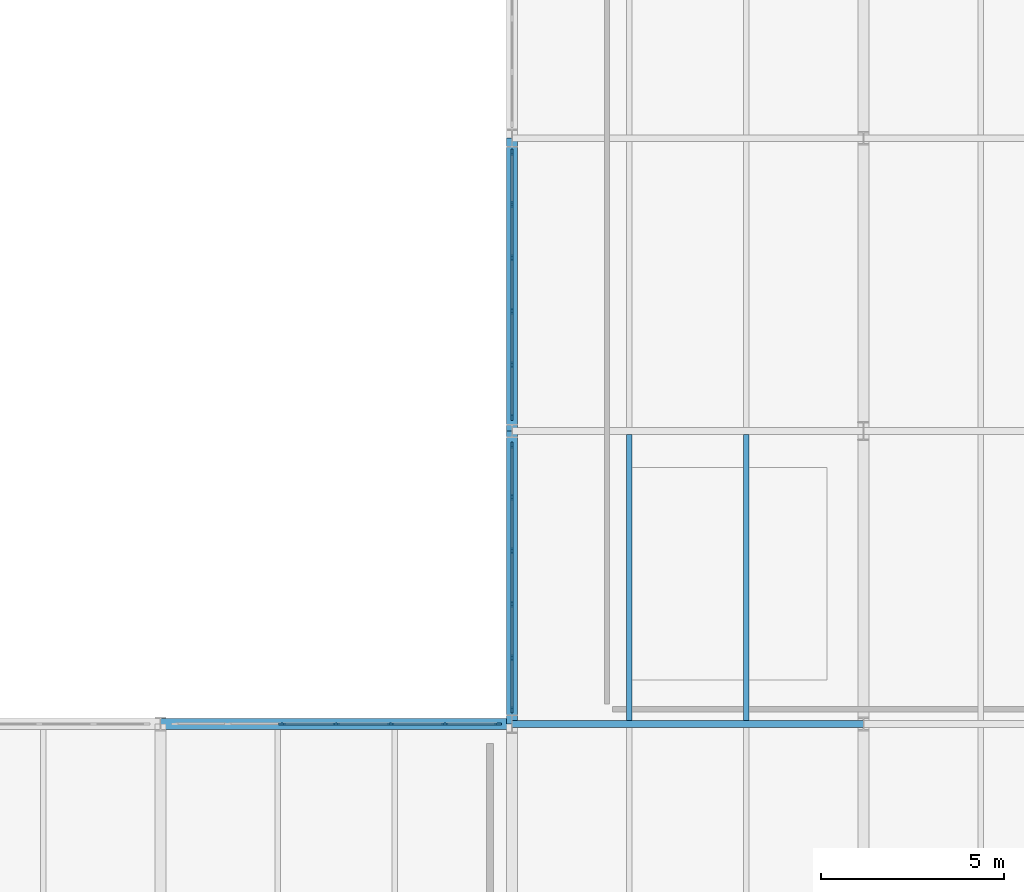
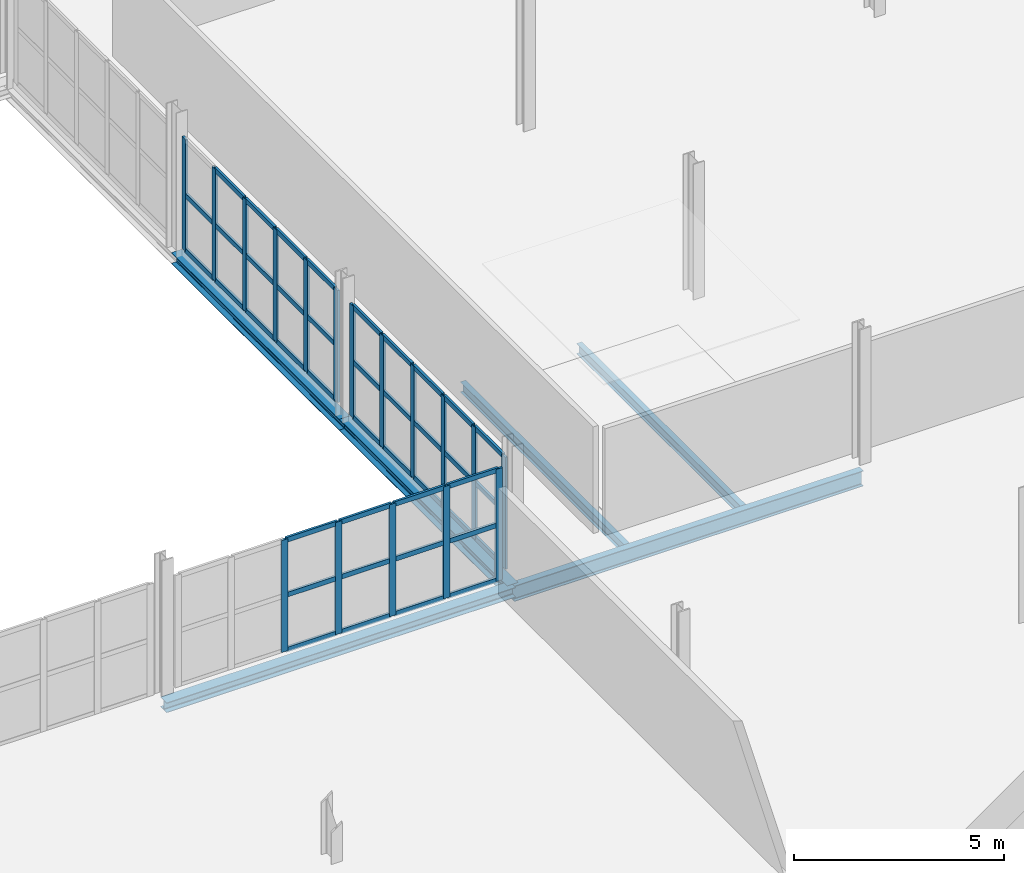
# One storey, part 44 of 78: 58 members, 6 beams, 3 elements without a shape of their own.
"""IFC4 building model written with IfcOpenShell, lengths in metres."""

from ifc_helpers import new_model, si_unit, direction, frame, origin, origin_2d, place, context, subcontext, project, spatial, rectangle, i_section, extrude, material, layer, layer_set, material_profile, profile_set, type_object, element, aggregate, save


model = new_model("IFC4")

# Units and contexts
model_context = context("Model", 3, precision=1e-05, world=origin(), true_north=direction((0.0, 1.0)))
body_context = subcontext(model_context, "Body", "Model", "MODEL_VIEW")
ifc_project = project(units=[si_unit("LENGTHUNIT", "METRE"), si_unit("AREAUNIT", "SQUARE_METRE"), si_unit("VOLUMEUNIT", "CUBIC_METRE"), si_unit("PLANEANGLEUNIT", "RADIAN"), si_unit("MASSUNIT", "GRAM", prefix="KILO")], contexts=[model_context])

# Site, building, storey
site_placement = place(None, origin())
site = spatial("IfcSite", under=ifc_project, at=site_placement, CompositionType="ELEMENT")
building_placement = place(site_placement, origin())
building = spatial("IfcBuilding", under=site, at=building_placement, Name="Alderhovde Museum", CompositionType="ELEMENT")
storey_placement = place(building_placement, frame((0.0, 0.0, 4.5)))
storey = spatial("IfcBuildingStorey", under=building, at=storey_placement, Name="L01", CompositionType="ELEMENT", Elevation=4.5)

# Beams
ifc_material_1 = material(Name="Steel S355J2", Category="steel")
ifc_material_profile_1 = material_profile(ifc_material_1, i_section(OverallWidth=0.300048828125, OverallDepth=0.330078125, WebThickness=0.009521484375, FlangeThickness=0.0166015625, FilletRadius=0.027099609375, at=origin_2d()), Name="HEA 340")
ifc_profile_set_1 = profile_set([ifc_material_profile_1], Name="Steel S355J2")
beam_type_1 = type_object("IfcBeamType", Name="BM-HEA340", PredefinedType="BEAM", material=ifc_profile_set_1)
for number, where, z_axis, x_axis, name in (
    (1, (144.0, 48.0, -0.425048828125), (0.0, 1.0, 0.0), (-1.0, 0.0, 0.0), "L01 Grid Beam X=144.0 (48.0 TO 56.0)"),
    (2, (144.0, 56.0, -0.425048828125), (0.0, 1.0, 0.0), (-1.0, 0.0, 0.0), "L01 Grid Beam X=144.0 (56.0 TO 64.0)"),
):
    element("IfcBeam", number, at=place(storey_placement, frame(where, z_axis=z_axis, x_axis=x_axis)), inside=storey, type_object=beam_type_1, Name=name, PredefinedType="BEAM", context=body_context, shape_type="SweptSolid", body=[
        extrude(i_section(OverallWidth=0.300048828125, OverallDepth=0.330078125, WebThickness=0.009521484375, FlangeThickness=0.0166015625, FilletRadius=0.027099609375, at=origin_2d()), origin(), (0.0, 0.0, 1.0), 8.0),
    ])
ifc_material_2 = material(Name="Steel S355J2", Category="steel")
ifc_material_profile_2 = material_profile(ifc_material_2, i_section(OverallWidth=0.18994140625, OverallDepth=0.449951171875, WebThickness=0.009521484375, FlangeThickness=0.0146484375, FilletRadius=0.02099609375, at=origin_2d()), Name="IPE 450")
ifc_profile_set_2 = profile_set([ifc_material_profile_2], Name="Steel S355J2")
beam_type_2 = type_object("IfcBeamType", Name="BM-IPE450", PredefinedType="BEAM", material=ifc_profile_set_2)
beam_1_placement = place(storey_placement, frame((144.0, 48.0, -0.485107421875), z_axis=(1.0, 0.0, 0.0), x_axis=(0.0, 1.0, 0.0)))
element("IfcBeam", 3, at=beam_1_placement, inside=storey, type_object=beam_type_2, Name="L01 Grid Beam Y=48.0 (144.0 TO 153.6)", PredefinedType="BEAM", context=body_context, shape_type="SweptSolid", body=[
    extrude(i_section(OverallWidth=0.18994140625, OverallDepth=0.449951171875, WebThickness=0.009521484375, FlangeThickness=0.0146484375, FilletRadius=0.02099609375, at=origin_2d()), origin(), (0.0, 0.0, 1.0), 9.60009765625),
])

# Curtain wall, members
ifc_material_3 = material(Name="Triple-Glazed Bronze-Anodised Curtain Wall", Category="glass")
ifc_layer_1 = layer(ifc_material_3, 0.179931640625)
ifc_layer_set_1 = layer_set([ifc_layer_1], Name="Triple-Glazed Bronze-Anodised Curtain Wall")
curtain_wall_type_1 = type_object("IfcCurtainWallType", Name="CW-STIC-890x326", PredefinedType="USERDEFINED", material=ifc_layer_set_1)
curtain_wall_1_placement = place(storey_placement, origin())
curtain_wall_1 = element("IfcCurtainWall", 4, at=curtain_wall_1_placement, inside=storey, type_object=curtain_wall_type_1, Name="L01 Stick Curtain Wall 151", ObjectType="STICK CURTAIN WALL", PredefinedType="USERDEFINED")
ifc_material_4 = material(Name="Bronze-Anodised Aluminium EN AW-6063-T6", Category="aluminium")
ifc_material_profile_3 = material_profile(ifc_material_4, rectangle(XDim=0.06494140625, YDim=0.179931640625, at=origin_2d()), Name="MULLION 65x180")
ifc_profile_set_3 = profile_set([ifc_material_profile_3], Name="Bronze-Anodised Aluminium EN AW-6063-T6")
member_type_1 = type_object("IfcMemberType", Name="CWM-65x180", PredefinedType="MULLION", material=ifc_profile_set_3)
member_1_placement = place(storey_placement, frame((137.716552734375, 48.0, 0.0), z_axis=(0.0, 0.0, 1.0), x_axis=(0.0, 1.0, 0.0)))
member_1 = element("IfcMember", 5, at=member_1_placement, type_object=member_type_1, Name="CW35 mullion 3", PredefinedType="MULLION", context=body_context, shape_type="SweptSolid", body=[
    extrude(rectangle(XDim=0.06494140625, YDim=0.179931640625, at=origin_2d()), origin(), (0.0, 0.0, 1.0), 3.260009765625),
])
member_2_placement = place(storey_placement, frame((139.199951171875, 48.0, 0.0), z_axis=(0.0, 0.0, 1.0), x_axis=(0.0, 1.0, 0.0)))
member_2 = element("IfcMember", 6, at=member_2_placement, type_object=member_type_1, Name="CW35 mullion 4", PredefinedType="MULLION", context=body_context, shape_type="SweptSolid", body=[
    extrude(rectangle(XDim=0.06494140625, YDim=0.179931640625, at=origin_2d()), origin(), (0.0, 0.0, 1.0), 3.260009765625),
])
member_3_placement = place(storey_placement, frame((140.683349609375, 48.0, 0.0), z_axis=(0.0, 0.0, 1.0), x_axis=(0.0, 1.0, 0.0)))
member_3 = element("IfcMember", 7, at=member_3_placement, type_object=member_type_1, Name="CW35 mullion 5", PredefinedType="MULLION", context=body_context, shape_type="SweptSolid", body=[
    extrude(rectangle(XDim=0.06494140625, YDim=0.179931640625, at=origin_2d()), origin(), (0.0, 0.0, 1.0), 3.260009765625),
])
member_4_placement = place(storey_placement, frame((142.166748046875, 48.0, 0.0), z_axis=(0.0, 0.0, 1.0), x_axis=(0.0, 1.0, 0.0)))
member_4 = element("IfcMember", 8, at=member_4_placement, type_object=member_type_1, Name="CW35 mullion 6", PredefinedType="MULLION", context=body_context, shape_type="SweptSolid", body=[
    extrude(rectangle(XDim=0.06494140625, YDim=0.179931640625, at=origin_2d()), origin(), (0.0, 0.0, 1.0), 3.260009765625),
])
member_5_placement = place(storey_placement, frame((143.617431640625, 48.0, 0.0), z_axis=(0.0, 0.0, 1.0), x_axis=(0.0, 1.0, 0.0)))
member_5 = element("IfcMember", 9, at=member_5_placement, type_object=member_type_1, Name="CW35 mullion 7", PredefinedType="MULLION", context=body_context, shape_type="SweptSolid", body=[
    extrude(rectangle(XDim=0.06494140625, YDim=0.179931640625, at=origin_2d()), origin(), (0.0, 0.0, 1.0), 3.260009765625),
])

ifc_material_5 = material(Name="Triple-Glazed Bronze-Anodised Curtain Wall", Category="glass")
ifc_layer_2 = layer(ifc_material_5, 0.179931640625)
ifc_layer_set_2 = layer_set([ifc_layer_2], Name="Triple-Glazed Bronze-Anodised Curtain Wall")
curtain_wall_type_2 = type_object("IfcCurtainWallType", Name="CW-STIC-730x326", PredefinedType="USERDEFINED", material=ifc_layer_set_2)
curtain_wall_2_placement = place(storey_placement, origin())
curtain_wall_2 = element("IfcCurtainWall", 10, at=curtain_wall_2_placement, inside=storey, type_object=curtain_wall_type_2, Name="L01 Stick Curtain Wall 152", ObjectType="STICK CURTAIN WALL", PredefinedType="USERDEFINED")
member_6_placement = place(storey_placement, frame((144.0, 48.382568359375, 0.0), z_axis=(0.0, 0.0, 1.0), x_axis=(-1.0, 0.0, 0.0)))
member_6 = element("IfcMember", 11, at=member_6_placement, type_object=member_type_1, Name="CW36 mullion 1", PredefinedType="MULLION", context=body_context, shape_type="SweptSolid", body=[
    extrude(rectangle(XDim=0.06494140625, YDim=0.179931640625, at=origin_2d()), origin(), (0.0, 0.0, 1.0), 3.260009765625),
])
member_7_placement = place(storey_placement, frame((144.0, 49.81005859375, 0.0), z_axis=(0.0, 0.0, 1.0), x_axis=(-1.0, 0.0, 0.0)))
member_7 = element("IfcMember", 12, at=member_7_placement, type_object=member_type_1, Name="CW36 mullion 2", PredefinedType="MULLION", context=body_context, shape_type="SweptSolid", body=[
    extrude(rectangle(XDim=0.06494140625, YDim=0.179931640625, at=origin_2d()), origin(), (0.0, 0.0, 1.0), 3.260009765625),
])
member_8_placement = place(storey_placement, frame((144.0, 51.27001953125, 0.0), z_axis=(0.0, 0.0, 1.0), x_axis=(-1.0, 0.0, 0.0)))
member_8 = element("IfcMember", 13, at=member_8_placement, type_object=member_type_1, Name="CW36 mullion 3", PredefinedType="MULLION", context=body_context, shape_type="SweptSolid", body=[
    extrude(rectangle(XDim=0.06494140625, YDim=0.179931640625, at=origin_2d()), origin(), (0.0, 0.0, 1.0), 3.260009765625),
])
member_9_placement = place(storey_placement, frame((144.0, 52.72998046875, 0.0), z_axis=(0.0, 0.0, 1.0), x_axis=(-1.0, 0.0, 0.0)))
member_9 = element("IfcMember", 14, at=member_9_placement, type_object=member_type_1, Name="CW36 mullion 4", PredefinedType="MULLION", context=body_context, shape_type="SweptSolid", body=[
    extrude(rectangle(XDim=0.06494140625, YDim=0.179931640625, at=origin_2d()), origin(), (0.0, 0.0, 1.0), 3.260009765625),
])
member_10_placement = place(storey_placement, frame((144.0, 54.18994140625, 0.0), z_axis=(0.0, 0.0, 1.0), x_axis=(-1.0, 0.0, 0.0)))
member_10 = element("IfcMember", 15, at=member_10_placement, type_object=member_type_1, Name="CW36 mullion 5", PredefinedType="MULLION", context=body_context, shape_type="SweptSolid", body=[
    extrude(rectangle(XDim=0.06494140625, YDim=0.179931640625, at=origin_2d()), origin(), (0.0, 0.0, 1.0), 3.260009765625),
])
member_11_placement = place(storey_placement, frame((144.0, 55.617431640625, 0.0), z_axis=(0.0, 0.0, 1.0), x_axis=(-1.0, 0.0, 0.0)))
member_11 = element("IfcMember", 16, at=member_11_placement, type_object=member_type_1, Name="CW36 mullion 6", PredefinedType="MULLION", context=body_context, shape_type="SweptSolid", body=[
    extrude(rectangle(XDim=0.06494140625, YDim=0.179931640625, at=origin_2d()), origin(), (0.0, 0.0, 1.0), 3.260009765625),
])

curtain_wall_3_placement = place(storey_placement, origin())
curtain_wall_3 = element("IfcCurtainWall", 17, at=curtain_wall_3_placement, inside=storey, type_object=curtain_wall_type_2, Name="L01 Stick Curtain Wall 153", ObjectType="STICK CURTAIN WALL", PredefinedType="USERDEFINED")
member_12_placement = place(storey_placement, frame((144.0, 56.382568359375, 0.0), z_axis=(0.0, 0.0, 1.0), x_axis=(-1.0, 0.0, 0.0)))
member_12 = element("IfcMember", 18, at=member_12_placement, type_object=member_type_1, Name="CW36 mullion 1", PredefinedType="MULLION", context=body_context, shape_type="SweptSolid", body=[
    extrude(rectangle(XDim=0.06494140625, YDim=0.179931640625, at=origin_2d()), origin(), (0.0, 0.0, 1.0), 3.260009765625),
])
member_13_placement = place(storey_placement, frame((144.0, 57.81005859375, 0.0), z_axis=(0.0, 0.0, 1.0), x_axis=(-1.0, 0.0, 0.0)))
member_13 = element("IfcMember", 19, at=member_13_placement, type_object=member_type_1, Name="CW36 mullion 2", PredefinedType="MULLION", context=body_context, shape_type="SweptSolid", body=[
    extrude(rectangle(XDim=0.06494140625, YDim=0.179931640625, at=origin_2d()), origin(), (0.0, 0.0, 1.0), 3.260009765625),
])
member_14_placement = place(storey_placement, frame((144.0, 59.27001953125, 0.0), z_axis=(0.0, 0.0, 1.0), x_axis=(-1.0, 0.0, 0.0)))
member_14 = element("IfcMember", 20, at=member_14_placement, type_object=member_type_1, Name="CW36 mullion 3", PredefinedType="MULLION", context=body_context, shape_type="SweptSolid", body=[
    extrude(rectangle(XDim=0.06494140625, YDim=0.179931640625, at=origin_2d()), origin(), (0.0, 0.0, 1.0), 3.260009765625),
])
member_15_placement = place(storey_placement, frame((144.0, 60.72998046875, 0.0), z_axis=(0.0, 0.0, 1.0), x_axis=(-1.0, 0.0, 0.0)))
member_15 = element("IfcMember", 21, at=member_15_placement, type_object=member_type_1, Name="CW36 mullion 4", PredefinedType="MULLION", context=body_context, shape_type="SweptSolid", body=[
    extrude(rectangle(XDim=0.06494140625, YDim=0.179931640625, at=origin_2d()), origin(), (0.0, 0.0, 1.0), 3.260009765625),
])
member_16_placement = place(storey_placement, frame((144.0, 62.18994140625, 0.0), z_axis=(0.0, 0.0, 1.0), x_axis=(-1.0, 0.0, 0.0)))
member_16 = element("IfcMember", 22, at=member_16_placement, type_object=member_type_1, Name="CW36 mullion 5", PredefinedType="MULLION", context=body_context, shape_type="SweptSolid", body=[
    extrude(rectangle(XDim=0.06494140625, YDim=0.179931640625, at=origin_2d()), origin(), (0.0, 0.0, 1.0), 3.260009765625),
])
member_17_placement = place(storey_placement, frame((144.0, 63.617431640625, 0.0), z_axis=(0.0, 0.0, 1.0), x_axis=(-1.0, 0.0, 0.0)))
member_17 = element("IfcMember", 23, at=member_17_placement, type_object=member_type_1, Name="CW36 mullion 6", PredefinedType="MULLION", context=body_context, shape_type="SweptSolid", body=[
    extrude(rectangle(XDim=0.06494140625, YDim=0.179931640625, at=origin_2d()), origin(), (0.0, 0.0, 1.0), 3.260009765625),
])

# Member
ifc_material_6 = material(Name="Bronze-Anodised Aluminium EN AW-6063-T6", Category="aluminium")
ifc_material_profile_4 = material_profile(ifc_material_6, rectangle(XDim=0.06494140625, YDim=0.139892578125, at=origin_2d()), Name="TRANSOM 65x140")
ifc_profile_set_4 = profile_set([ifc_material_profile_4], Name="Bronze-Anodised Aluminium EN AW-6063-T6")
member_type_2 = type_object("IfcMemberType", Name="CWT-65x140", PredefinedType="USERDEFINED", material=ifc_profile_set_4)
member_18_placement = place(storey_placement, frame((137.749267578125, 48.0, 0.032470703125), z_axis=(1.0, 0.0, 0.0), x_axis=(0.0, 1.0, 0.0)))
member_18 = element("IfcMember", 24, at=member_18_placement, type_object=member_type_2, Name="CW35 transom 3.1", ObjectType="TRANSOM", PredefinedType="USERDEFINED", context=body_context, shape_type="SweptSolid", body=[
    extrude(rectangle(XDim=0.06494140625, YDim=0.139892578125, at=origin_2d()), origin(), (0.0, 0.0, 1.0), 1.418212890625),
])

member_19_placement = place(storey_placement, frame((137.749267578125, 48.0, 1.6298828125), z_axis=(1.0, 0.0, 0.0), x_axis=(0.0, 1.0, 0.0)))
member_19 = element("IfcMember", 25, at=member_19_placement, type_object=member_type_2, Name="CW35 transom 3.2", ObjectType="TRANSOM", PredefinedType="USERDEFINED", context=body_context, shape_type="SweptSolid", body=[
    extrude(rectangle(XDim=0.06494140625, YDim=0.139892578125, at=origin_2d()), origin(), (0.0, 0.0, 1.0), 1.418212890625),
])

member_20_placement = place(storey_placement, frame((137.749267578125, 48.0, 3.2275390625), z_axis=(1.0, 0.0, 0.0), x_axis=(0.0, 1.0, 0.0)))
member_20 = element("IfcMember", 26, at=member_20_placement, type_object=member_type_2, Name="CW35 transom 3.3", ObjectType="TRANSOM", PredefinedType="USERDEFINED", context=body_context, shape_type="SweptSolid", body=[
    extrude(rectangle(XDim=0.06494140625, YDim=0.139892578125, at=origin_2d()), origin(), (0.0, 0.0, 1.0), 1.418212890625),
])

member_21_placement = place(storey_placement, frame((139.232421875, 48.0, 0.032470703125), z_axis=(1.0, 0.0, 0.0), x_axis=(0.0, 1.0, 0.0)))
member_21 = element("IfcMember", 27, at=member_21_placement, type_object=member_type_2, Name="CW35 transom 4.1", ObjectType="TRANSOM", PredefinedType="USERDEFINED", context=body_context, shape_type="SweptSolid", body=[
    extrude(rectangle(XDim=0.06494140625, YDim=0.139892578125, at=origin_2d()), origin(), (0.0, 0.0, 1.0), 1.41845703125),
])

member_22_placement = place(storey_placement, frame((139.232421875, 48.0, 1.6298828125), z_axis=(1.0, 0.0, 0.0), x_axis=(0.0, 1.0, 0.0)))
member_22 = element("IfcMember", 28, at=member_22_placement, type_object=member_type_2, Name="CW35 transom 4.2", ObjectType="TRANSOM", PredefinedType="USERDEFINED", context=body_context, shape_type="SweptSolid", body=[
    extrude(rectangle(XDim=0.06494140625, YDim=0.139892578125, at=origin_2d()), origin(), (0.0, 0.0, 1.0), 1.41845703125),
])

member_23_placement = place(storey_placement, frame((139.232421875, 48.0, 3.2275390625), z_axis=(1.0, 0.0, 0.0), x_axis=(0.0, 1.0, 0.0)))
member_23 = element("IfcMember", 29, at=member_23_placement, type_object=member_type_2, Name="CW35 transom 4.3", ObjectType="TRANSOM", PredefinedType="USERDEFINED", context=body_context, shape_type="SweptSolid", body=[
    extrude(rectangle(XDim=0.06494140625, YDim=0.139892578125, at=origin_2d()), origin(), (0.0, 0.0, 1.0), 1.41845703125),
])

member_24_placement = place(storey_placement, frame((140.7158203125, 48.0, 0.032470703125), z_axis=(1.0, 0.0, 0.0), x_axis=(0.0, 1.0, 0.0)))
member_24 = element("IfcMember", 30, at=member_24_placement, type_object=member_type_2, Name="CW35 transom 5.1", ObjectType="TRANSOM", PredefinedType="USERDEFINED", context=body_context, shape_type="SweptSolid", body=[
    extrude(rectangle(XDim=0.06494140625, YDim=0.139892578125, at=origin_2d()), origin(), (0.0, 0.0, 1.0), 1.41845703125),
])

member_25_placement = place(storey_placement, frame((140.7158203125, 48.0, 1.6298828125), z_axis=(1.0, 0.0, 0.0), x_axis=(0.0, 1.0, 0.0)))
member_25 = element("IfcMember", 31, at=member_25_placement, type_object=member_type_2, Name="CW35 transom 5.2", ObjectType="TRANSOM", PredefinedType="USERDEFINED", context=body_context, shape_type="SweptSolid", body=[
    extrude(rectangle(XDim=0.06494140625, YDim=0.139892578125, at=origin_2d()), origin(), (0.0, 0.0, 1.0), 1.41845703125),
])

member_26_placement = place(storey_placement, frame((140.7158203125, 48.0, 3.2275390625), z_axis=(1.0, 0.0, 0.0), x_axis=(0.0, 1.0, 0.0)))
member_26 = element("IfcMember", 32, at=member_26_placement, type_object=member_type_2, Name="CW35 transom 5.3", ObjectType="TRANSOM", PredefinedType="USERDEFINED", context=body_context, shape_type="SweptSolid", body=[
    extrude(rectangle(XDim=0.06494140625, YDim=0.139892578125, at=origin_2d()), origin(), (0.0, 0.0, 1.0), 1.41845703125),
])

member_27_placement = place(storey_placement, frame((142.19921875, 48.0, 0.032470703125), z_axis=(1.0, 0.0, 0.0), x_axis=(0.0, 1.0, 0.0)))
member_27 = element("IfcMember", 33, at=member_27_placement, type_object=member_type_2, Name="CW35 transom 6.1", ObjectType="TRANSOM", PredefinedType="USERDEFINED", context=body_context, shape_type="SweptSolid", body=[
    extrude(rectangle(XDim=0.06494140625, YDim=0.139892578125, at=origin_2d()), origin(), (0.0, 0.0, 1.0), 1.3857421875),
])

member_28_placement = place(storey_placement, frame((142.19921875, 48.0, 1.6298828125), z_axis=(1.0, 0.0, 0.0), x_axis=(0.0, 1.0, 0.0)))
member_28 = element("IfcMember", 34, at=member_28_placement, type_object=member_type_2, Name="CW35 transom 6.2", ObjectType="TRANSOM", PredefinedType="USERDEFINED", context=body_context, shape_type="SweptSolid", body=[
    extrude(rectangle(XDim=0.06494140625, YDim=0.139892578125, at=origin_2d()), origin(), (0.0, 0.0, 1.0), 1.3857421875),
])

member_29_placement = place(storey_placement, frame((142.19921875, 48.0, 3.2275390625), z_axis=(1.0, 0.0, 0.0), x_axis=(0.0, 1.0, 0.0)))
member_29 = element("IfcMember", 35, at=member_29_placement, type_object=member_type_2, Name="CW35 transom 6.3", ObjectType="TRANSOM", PredefinedType="USERDEFINED", context=body_context, shape_type="SweptSolid", body=[
    extrude(rectangle(XDim=0.06494140625, YDim=0.139892578125, at=origin_2d()), origin(), (0.0, 0.0, 1.0), 1.3857421875),
])

aggregate(curtain_wall_1, [member_1, member_2, member_3, member_4, member_5, member_18, member_19, member_20, member_21, member_22, member_23, member_24, member_25, member_26, member_27, member_28, member_29])

member_30_placement = place(storey_placement, frame((144.0, 48.4150390625, 0.032470703125), z_axis=(0.0, 1.0, 0.0), x_axis=(-1.0, 0.0, 0.0)))
member_30 = element("IfcMember", 36, at=member_30_placement, type_object=member_type_2, Name="CW36 transom 1.1", ObjectType="TRANSOM", PredefinedType="USERDEFINED", context=body_context, shape_type="SweptSolid", body=[
    extrude(rectangle(XDim=0.06494140625, YDim=0.139892578125, at=origin_2d()), origin(), (0.0, 0.0, 1.0), 1.362548828125),
])

member_31_placement = place(storey_placement, frame((144.0, 48.4150390625, 1.6298828125), z_axis=(0.0, 1.0, 0.0), x_axis=(-1.0, 0.0, 0.0)))
member_31 = element("IfcMember", 37, at=member_31_placement, type_object=member_type_2, Name="CW36 transom 1.2", ObjectType="TRANSOM", PredefinedType="USERDEFINED", context=body_context, shape_type="SweptSolid", body=[
    extrude(rectangle(XDim=0.06494140625, YDim=0.139892578125, at=origin_2d()), origin(), (0.0, 0.0, 1.0), 1.362548828125),
])

member_32_placement = place(storey_placement, frame((144.0, 48.4150390625, 3.2275390625), z_axis=(0.0, 1.0, 0.0), x_axis=(-1.0, 0.0, 0.0)))
member_32 = element("IfcMember", 38, at=member_32_placement, type_object=member_type_2, Name="CW36 transom 1.3", ObjectType="TRANSOM", PredefinedType="USERDEFINED", context=body_context, shape_type="SweptSolid", body=[
    extrude(rectangle(XDim=0.06494140625, YDim=0.139892578125, at=origin_2d()), origin(), (0.0, 0.0, 1.0), 1.362548828125),
])

member_33_placement = place(storey_placement, frame((144.0, 49.842529296875, 0.032470703125), z_axis=(0.0, 1.0, 0.0), x_axis=(-1.0, 0.0, 0.0)))
member_33 = element("IfcMember", 39, at=member_33_placement, type_object=member_type_2, Name="CW36 transom 2.1", ObjectType="TRANSOM", PredefinedType="USERDEFINED", context=body_context, shape_type="SweptSolid", body=[
    extrude(rectangle(XDim=0.06494140625, YDim=0.139892578125, at=origin_2d()), origin(), (0.0, 0.0, 1.0), 1.39501953125),
])

member_34_placement = place(storey_placement, frame((144.0, 49.842529296875, 1.6298828125), z_axis=(0.0, 1.0, 0.0), x_axis=(-1.0, 0.0, 0.0)))
member_34 = element("IfcMember", 40, at=member_34_placement, type_object=member_type_2, Name="CW36 transom 2.2", ObjectType="TRANSOM", PredefinedType="USERDEFINED", context=body_context, shape_type="SweptSolid", body=[
    extrude(rectangle(XDim=0.06494140625, YDim=0.139892578125, at=origin_2d()), origin(), (0.0, 0.0, 1.0), 1.39501953125),
])

member_35_placement = place(storey_placement, frame((144.0, 49.842529296875, 3.2275390625), z_axis=(0.0, 1.0, 0.0), x_axis=(-1.0, 0.0, 0.0)))
member_35 = element("IfcMember", 41, at=member_35_placement, type_object=member_type_2, Name="CW36 transom 2.3", ObjectType="TRANSOM", PredefinedType="USERDEFINED", context=body_context, shape_type="SweptSolid", body=[
    extrude(rectangle(XDim=0.06494140625, YDim=0.139892578125, at=origin_2d()), origin(), (0.0, 0.0, 1.0), 1.39501953125),
])

member_36_placement = place(storey_placement, frame((144.0, 51.302490234375, 0.032470703125), z_axis=(0.0, 1.0, 0.0), x_axis=(-1.0, 0.0, 0.0)))
member_36 = element("IfcMember", 42, at=member_36_placement, type_object=member_type_2, Name="CW36 transom 3.1", ObjectType="TRANSOM", PredefinedType="USERDEFINED", context=body_context, shape_type="SweptSolid", body=[
    extrude(rectangle(XDim=0.06494140625, YDim=0.139892578125, at=origin_2d()), origin(), (0.0, 0.0, 1.0), 1.39501953125),
])

member_37_placement = place(storey_placement, frame((144.0, 51.302490234375, 1.6298828125), z_axis=(0.0, 1.0, 0.0), x_axis=(-1.0, 0.0, 0.0)))
member_37 = element("IfcMember", 43, at=member_37_placement, type_object=member_type_2, Name="CW36 transom 3.2", ObjectType="TRANSOM", PredefinedType="USERDEFINED", context=body_context, shape_type="SweptSolid", body=[
    extrude(rectangle(XDim=0.06494140625, YDim=0.139892578125, at=origin_2d()), origin(), (0.0, 0.0, 1.0), 1.39501953125),
])

member_38_placement = place(storey_placement, frame((144.0, 51.302490234375, 3.2275390625), z_axis=(0.0, 1.0, 0.0), x_axis=(-1.0, 0.0, 0.0)))
member_38 = element("IfcMember", 44, at=member_38_placement, type_object=member_type_2, Name="CW36 transom 3.3", ObjectType="TRANSOM", PredefinedType="USERDEFINED", context=body_context, shape_type="SweptSolid", body=[
    extrude(rectangle(XDim=0.06494140625, YDim=0.139892578125, at=origin_2d()), origin(), (0.0, 0.0, 1.0), 1.39501953125),
])

member_39_placement = place(storey_placement, frame((144.0, 52.762451171875, 0.032470703125), z_axis=(0.0, 1.0, 0.0), x_axis=(-1.0, 0.0, 0.0)))
member_39 = element("IfcMember", 45, at=member_39_placement, type_object=member_type_2, Name="CW36 transom 4.1", ObjectType="TRANSOM", PredefinedType="USERDEFINED", context=body_context, shape_type="SweptSolid", body=[
    extrude(rectangle(XDim=0.06494140625, YDim=0.139892578125, at=origin_2d()), origin(), (0.0, 0.0, 1.0), 1.39501953125),
])

member_40_placement = place(storey_placement, frame((144.0, 52.762451171875, 1.6298828125), z_axis=(0.0, 1.0, 0.0), x_axis=(-1.0, 0.0, 0.0)))
member_40 = element("IfcMember", 46, at=member_40_placement, type_object=member_type_2, Name="CW36 transom 4.2", ObjectType="TRANSOM", PredefinedType="USERDEFINED", context=body_context, shape_type="SweptSolid", body=[
    extrude(rectangle(XDim=0.06494140625, YDim=0.139892578125, at=origin_2d()), origin(), (0.0, 0.0, 1.0), 1.39501953125),
])

member_41_placement = place(storey_placement, frame((144.0, 52.762451171875, 3.2275390625), z_axis=(0.0, 1.0, 0.0), x_axis=(-1.0, 0.0, 0.0)))
member_41 = element("IfcMember", 47, at=member_41_placement, type_object=member_type_2, Name="CW36 transom 4.3", ObjectType="TRANSOM", PredefinedType="USERDEFINED", context=body_context, shape_type="SweptSolid", body=[
    extrude(rectangle(XDim=0.06494140625, YDim=0.139892578125, at=origin_2d()), origin(), (0.0, 0.0, 1.0), 1.39501953125),
])

member_42_placement = place(storey_placement, frame((144.0, 54.222412109375, 0.032470703125), z_axis=(0.0, 1.0, 0.0), x_axis=(-1.0, 0.0, 0.0)))
member_42 = element("IfcMember", 48, at=member_42_placement, type_object=member_type_2, Name="CW36 transom 5.1", ObjectType="TRANSOM", PredefinedType="USERDEFINED", context=body_context, shape_type="SweptSolid", body=[
    extrude(rectangle(XDim=0.06494140625, YDim=0.139892578125, at=origin_2d()), origin(), (0.0, 0.0, 1.0), 1.362548828125),
])

member_43_placement = place(storey_placement, frame((144.0, 54.222412109375, 1.6298828125), z_axis=(0.0, 1.0, 0.0), x_axis=(-1.0, 0.0, 0.0)))
member_43 = element("IfcMember", 49, at=member_43_placement, type_object=member_type_2, Name="CW36 transom 5.2", ObjectType="TRANSOM", PredefinedType="USERDEFINED", context=body_context, shape_type="SweptSolid", body=[
    extrude(rectangle(XDim=0.06494140625, YDim=0.139892578125, at=origin_2d()), origin(), (0.0, 0.0, 1.0), 1.362548828125),
])

member_44_placement = place(storey_placement, frame((144.0, 54.222412109375, 3.2275390625), z_axis=(0.0, 1.0, 0.0), x_axis=(-1.0, 0.0, 0.0)))
member_44 = element("IfcMember", 50, at=member_44_placement, type_object=member_type_2, Name="CW36 transom 5.3", ObjectType="TRANSOM", PredefinedType="USERDEFINED", context=body_context, shape_type="SweptSolid", body=[
    extrude(rectangle(XDim=0.06494140625, YDim=0.139892578125, at=origin_2d()), origin(), (0.0, 0.0, 1.0), 1.362548828125),
])

aggregate(curtain_wall_2, [member_6, member_7, member_8, member_9, member_10, member_11, member_30, member_31, member_32, member_33, member_34, member_35, member_36, member_37, member_38, member_39, member_40, member_41, member_42, member_43, member_44])

member_45_placement = place(storey_placement, frame((144.0, 56.4150390625, 0.032470703125), z_axis=(0.0, 1.0, 0.0), x_axis=(-1.0, 0.0, 0.0)))
member_45 = element("IfcMember", 51, at=member_45_placement, type_object=member_type_2, Name="CW36 transom 1.1", ObjectType="TRANSOM", PredefinedType="USERDEFINED", context=body_context, shape_type="SweptSolid", body=[
    extrude(rectangle(XDim=0.06494140625, YDim=0.139892578125, at=origin_2d()), origin(), (0.0, 0.0, 1.0), 1.362548828125),
])

member_46_placement = place(storey_placement, frame((144.0, 56.4150390625, 1.6298828125), z_axis=(0.0, 1.0, 0.0), x_axis=(-1.0, 0.0, 0.0)))
member_46 = element("IfcMember", 52, at=member_46_placement, type_object=member_type_2, Name="CW36 transom 1.2", ObjectType="TRANSOM", PredefinedType="USERDEFINED", context=body_context, shape_type="SweptSolid", body=[
    extrude(rectangle(XDim=0.06494140625, YDim=0.139892578125, at=origin_2d()), origin(), (0.0, 0.0, 1.0), 1.362548828125),
])

member_47_placement = place(storey_placement, frame((144.0, 56.4150390625, 3.2275390625), z_axis=(0.0, 1.0, 0.0), x_axis=(-1.0, 0.0, 0.0)))
member_47 = element("IfcMember", 53, at=member_47_placement, type_object=member_type_2, Name="CW36 transom 1.3", ObjectType="TRANSOM", PredefinedType="USERDEFINED", context=body_context, shape_type="SweptSolid", body=[
    extrude(rectangle(XDim=0.06494140625, YDim=0.139892578125, at=origin_2d()), origin(), (0.0, 0.0, 1.0), 1.362548828125),
])

member_48_placement = place(storey_placement, frame((144.0, 57.842529296875, 0.032470703125), z_axis=(0.0, 1.0, 0.0), x_axis=(-1.0, 0.0, 0.0)))
member_48 = element("IfcMember", 54, at=member_48_placement, type_object=member_type_2, Name="CW36 transom 2.1", ObjectType="TRANSOM", PredefinedType="USERDEFINED", context=body_context, shape_type="SweptSolid", body=[
    extrude(rectangle(XDim=0.06494140625, YDim=0.139892578125, at=origin_2d()), origin(), (0.0, 0.0, 1.0), 1.39501953125),
])

member_49_placement = place(storey_placement, frame((144.0, 57.842529296875, 1.6298828125), z_axis=(0.0, 1.0, 0.0), x_axis=(-1.0, 0.0, 0.0)))
member_49 = element("IfcMember", 55, at=member_49_placement, type_object=member_type_2, Name="CW36 transom 2.2", ObjectType="TRANSOM", PredefinedType="USERDEFINED", context=body_context, shape_type="SweptSolid", body=[
    extrude(rectangle(XDim=0.06494140625, YDim=0.139892578125, at=origin_2d()), origin(), (0.0, 0.0, 1.0), 1.39501953125),
])

member_50_placement = place(storey_placement, frame((144.0, 57.842529296875, 3.2275390625), z_axis=(0.0, 1.0, 0.0), x_axis=(-1.0, 0.0, 0.0)))
member_50 = element("IfcMember", 56, at=member_50_placement, type_object=member_type_2, Name="CW36 transom 2.3", ObjectType="TRANSOM", PredefinedType="USERDEFINED", context=body_context, shape_type="SweptSolid", body=[
    extrude(rectangle(XDim=0.06494140625, YDim=0.139892578125, at=origin_2d()), origin(), (0.0, 0.0, 1.0), 1.39501953125),
])

member_51_placement = place(storey_placement, frame((144.0, 59.302490234375, 0.032470703125), z_axis=(0.0, 1.0, 0.0), x_axis=(-1.0, 0.0, 0.0)))
member_51 = element("IfcMember", 57, at=member_51_placement, type_object=member_type_2, Name="CW36 transom 3.1", ObjectType="TRANSOM", PredefinedType="USERDEFINED", context=body_context, shape_type="SweptSolid", body=[
    extrude(rectangle(XDim=0.06494140625, YDim=0.139892578125, at=origin_2d()), origin(), (0.0, 0.0, 1.0), 1.39501953125),
])

member_52_placement = place(storey_placement, frame((144.0, 59.302490234375, 1.6298828125), z_axis=(0.0, 1.0, 0.0), x_axis=(-1.0, 0.0, 0.0)))
member_52 = element("IfcMember", 58, at=member_52_placement, type_object=member_type_2, Name="CW36 transom 3.2", ObjectType="TRANSOM", PredefinedType="USERDEFINED", context=body_context, shape_type="SweptSolid", body=[
    extrude(rectangle(XDim=0.06494140625, YDim=0.139892578125, at=origin_2d()), origin(), (0.0, 0.0, 1.0), 1.39501953125),
])

member_53_placement = place(storey_placement, frame((144.0, 59.302490234375, 3.2275390625), z_axis=(0.0, 1.0, 0.0), x_axis=(-1.0, 0.0, 0.0)))
member_53 = element("IfcMember", 59, at=member_53_placement, type_object=member_type_2, Name="CW36 transom 3.3", ObjectType="TRANSOM", PredefinedType="USERDEFINED", context=body_context, shape_type="SweptSolid", body=[
    extrude(rectangle(XDim=0.06494140625, YDim=0.139892578125, at=origin_2d()), origin(), (0.0, 0.0, 1.0), 1.39501953125),
])

member_54_placement = place(storey_placement, frame((144.0, 60.762451171875, 0.032470703125), z_axis=(0.0, 1.0, 0.0), x_axis=(-1.0, 0.0, 0.0)))
member_54 = element("IfcMember", 60, at=member_54_placement, type_object=member_type_2, Name="CW36 transom 4.1", ObjectType="TRANSOM", PredefinedType="USERDEFINED", context=body_context, shape_type="SweptSolid", body=[
    extrude(rectangle(XDim=0.06494140625, YDim=0.139892578125, at=origin_2d()), origin(), (0.0, 0.0, 1.0), 1.39501953125),
])

member_55_placement = place(storey_placement, frame((144.0, 60.762451171875, 1.6298828125), z_axis=(0.0, 1.0, 0.0), x_axis=(-1.0, 0.0, 0.0)))
member_55 = element("IfcMember", 61, at=member_55_placement, type_object=member_type_2, Name="CW36 transom 4.2", ObjectType="TRANSOM", PredefinedType="USERDEFINED", context=body_context, shape_type="SweptSolid", body=[
    extrude(rectangle(XDim=0.06494140625, YDim=0.139892578125, at=origin_2d()), origin(), (0.0, 0.0, 1.0), 1.39501953125),
])

member_56_placement = place(storey_placement, frame((144.0, 60.762451171875, 3.2275390625), z_axis=(0.0, 1.0, 0.0), x_axis=(-1.0, 0.0, 0.0)))
member_56 = element("IfcMember", 62, at=member_56_placement, type_object=member_type_2, Name="CW36 transom 4.3", ObjectType="TRANSOM", PredefinedType="USERDEFINED", context=body_context, shape_type="SweptSolid", body=[
    extrude(rectangle(XDim=0.06494140625, YDim=0.139892578125, at=origin_2d()), origin(), (0.0, 0.0, 1.0), 1.39501953125),
])

member_57_placement = place(storey_placement, frame((144.0, 62.222412109375, 0.032470703125), z_axis=(0.0, 1.0, 0.0), x_axis=(-1.0, 0.0, 0.0)))
member_57 = element("IfcMember", 63, at=member_57_placement, type_object=member_type_2, Name="CW36 transom 5.1", ObjectType="TRANSOM", PredefinedType="USERDEFINED", context=body_context, shape_type="SweptSolid", body=[
    extrude(rectangle(XDim=0.06494140625, YDim=0.139892578125, at=origin_2d()), origin(), (0.0, 0.0, 1.0), 1.362548828125),
])

member_58_placement = place(storey_placement, frame((144.0, 62.222412109375, 1.6298828125), z_axis=(0.0, 1.0, 0.0), x_axis=(-1.0, 0.0, 0.0)))
member_58 = element("IfcMember", 64, at=member_58_placement, type_object=member_type_2, Name="CW36 transom 5.2", ObjectType="TRANSOM", PredefinedType="USERDEFINED", context=body_context, shape_type="SweptSolid", body=[
    extrude(rectangle(XDim=0.06494140625, YDim=0.139892578125, at=origin_2d()), origin(), (0.0, 0.0, 1.0), 1.362548828125),
])

aggregate(curtain_wall_3, [member_12, member_13, member_14, member_15, member_16, member_17, member_45, member_46, member_47, member_48, member_49, member_50, member_51, member_52, member_53, member_54, member_55, member_56, member_57, member_58])

# Beams
ifc_material_7 = material(Name="Steel S355J2", Category="steel")
ifc_material_profile_5 = material_profile(ifc_material_7, i_section(OverallWidth=0.14990234375, OverallDepth=0.300048828125, WebThickness=0.007080078125, FlangeThickness=0.0107421875, FilletRadius=0.014892578125, at=origin_2d()), Name="IPE 300")
ifc_profile_set_5 = profile_set([ifc_material_profile_5], Name="Steel S355J2")
beam_type_3 = type_object("IfcBeamType", Name="JST-IPE300", PredefinedType="JOIST", material=ifc_profile_set_5)
for number, where, z_axis, x_axis, name in (
    (65, (147.199951171875, 48.094970703125, -0.409912109375), (0.0, 1.0, 0.0), (-1.0, 0.0, 0.0), "L01 Composite Joist X=147.2 (48.0 TO 56.0)"),
    (66, (150.39990234375, 48.094970703125, -0.409912109375), (0.0, 1.0, 0.0), (-1.0, 0.0, 0.0), "L01 Composite Joist X=150.4 (48.0 TO 56.0)"),
):
    element("IfcBeam", number, at=place(storey_placement, frame(where, z_axis=z_axis, x_axis=x_axis)), inside=storey, type_object=beam_type_3, Name=name, PredefinedType="JOIST", context=body_context, shape_type="SweptSolid", body=[
        extrude(i_section(OverallWidth=0.14990234375, OverallDepth=0.300048828125, WebThickness=0.007080078125, FlangeThickness=0.0107421875, FilletRadius=0.014892578125, at=origin_2d()), origin(), (0.0, 0.0, 1.0), 7.81005859375),
    ])
ifc_material_8 = material(Name="Steel S355J2", Category="steel")
ifc_material_profile_6 = material_profile(ifc_material_8, i_section(OverallWidth=0.300048828125, OverallDepth=0.2900390625, WebThickness=0.008544921875, FlangeThickness=0.013916015625, FilletRadius=0.027099609375, at=origin_2d()), Name="HEA 300")
ifc_profile_set_6 = profile_set([ifc_material_profile_6], Name="Steel S355J2")
beam_type_4 = type_object("IfcBeamType", Name="SPD-HEA300", PredefinedType="SPANDREL", material=ifc_profile_set_6)
beam_2_placement = place(storey_placement, frame((134.39990234375, 48.0, -0.405029296875), z_axis=(1.0, 0.0, 0.0), x_axis=(0.0, 1.0, 0.0)))
element("IfcBeam", 67, at=beam_2_placement, inside=storey, type_object=beam_type_4, Name="L01 Grid Beam Y=48.0 (134.4 TO 144.0)", PredefinedType="SPANDREL", context=body_context, shape_type="SweptSolid", body=[
    extrude(i_section(OverallWidth=0.300048828125, OverallDepth=0.2900390625, WebThickness=0.008544921875, FlangeThickness=0.013916015625, FilletRadius=0.027099609375, at=origin_2d()), origin(), (0.0, 0.0, 1.0), 9.60009765625),
])

save(model, "model.ifc")
